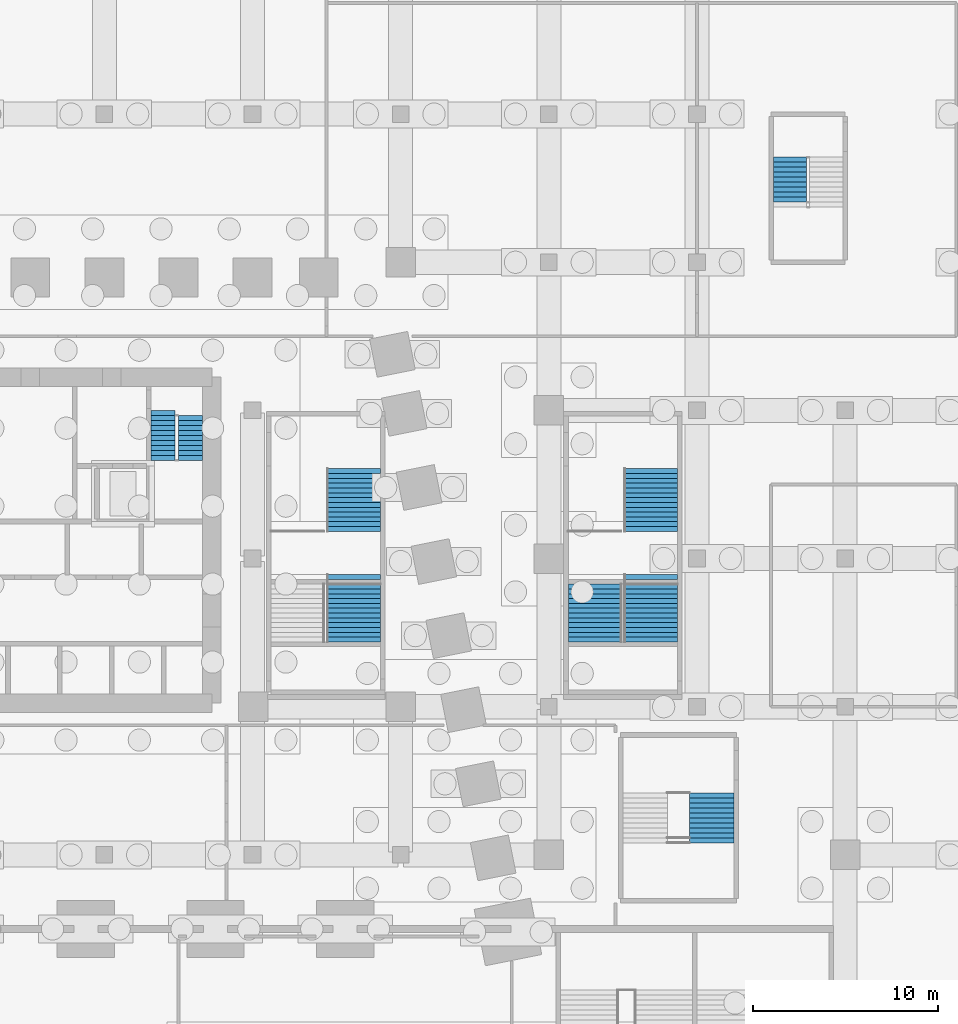
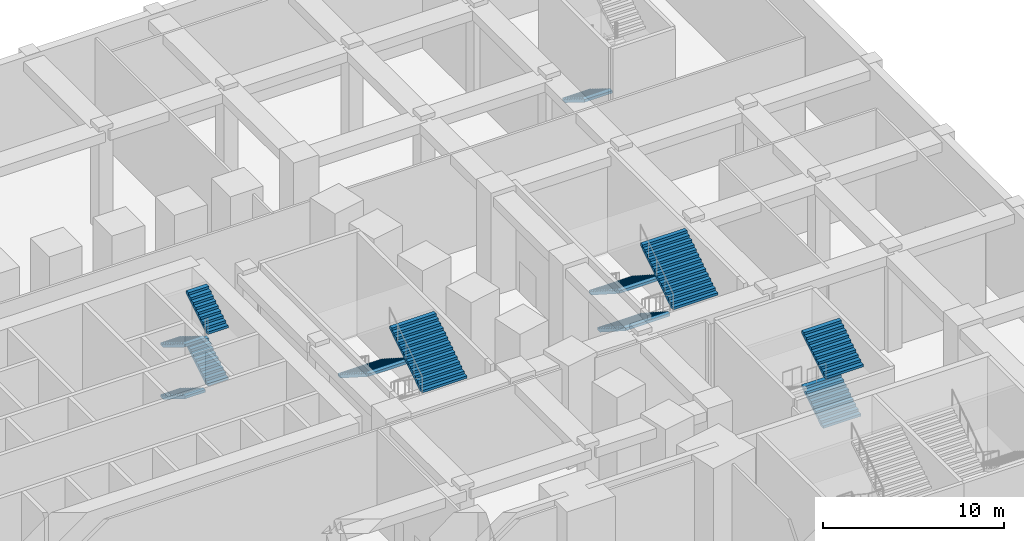
# One storey, part 20 of 30: 12 stair flights, 5 elements without a shape of their own.
"""IFC4 building model written with IfcOpenShell, lengths in metres."""

from ifc_helpers import new_model, si_unit, direction, frame, origin, place, context, subcontext, project, spatial, polyline, outline, extrude, material, type_object, element, aggregate, save


model = new_model("IFC4")

# Units and contexts
model_context = context("Model", 3, precision=1e-05, world=origin(), true_north=direction((0.0, 1.0)))
body_context = subcontext(model_context, "Body", "Model", "MODEL_VIEW")
ifc_project = project(units=[si_unit("LENGTHUNIT", "METRE"), si_unit("AREAUNIT", "SQUARE_METRE"), si_unit("VOLUMEUNIT", "CUBIC_METRE"), si_unit("PLANEANGLEUNIT", "RADIAN"), si_unit("MASSUNIT", "GRAM", prefix="KILO")], contexts=[model_context])

# Site, building, storey
site_placement = place(None, origin())
site = spatial("IfcSite", under=ifc_project, at=site_placement, CompositionType="ELEMENT")
building_placement = place(site_placement, origin())
building = spatial("IfcBuilding", under=site, at=building_placement, Name="Isbrekke Arena Tower", CompositionType="ELEMENT")
storey_placement = place(building_placement, frame((0.0, 0.0, -7.0)))
storey = spatial("IfcBuildingStorey", under=building, at=storey_placement, Name="B1", CompositionType="ELEMENT", Elevation=-7.0)

# Stair, stair flights
ifc_material_1 = material(Name="Concrete B45 (C45/55) precast", Category="concrete")
stair_type_1 = type_object("IfcStairType", Name="ST70 STAIR 1300 WIDE, 42 RISERS 167", PredefinedType="HALF_TURN_STAIR", material=ifc_material_1)
stair_1_placement = place(storey_placement, origin())
stair_1 = element("IfcStair", 1, at=stair_1_placement, inside=storey, type_object=stair_type_1, Name="ST2 stair B1", PredefinedType="HALF_TURN_STAIR")
ifc_material_2 = material(Name="Concrete B45 (C45/55) precast", Category="concrete")
stair_flight_type_1 = type_object("IfcStairFlightType", Name="SF 1300 FLIGHT", PredefinedType="STRAIGHT", material=ifc_material_2)
stair_flight_1_placement = place(storey_placement, frame((11.175048828125, 22.0, 0.0), z_axis=(0.0, 0.0, 1.0), x_axis=(0.0, -1.0, 0.0)))
stair_flight_1 = element("IfcStairFlight", 2, at=stair_flight_1_placement, type_object=stair_flight_type_1, Name="ST2 flight 1", NumberOfRisers=11, NumberOfTreads=10, PredefinedType="STRAIGHT", RiserHeight=0.166666667, TreadLength=0.27, context=body_context, shape_type="SweptSolid", body=[
    extrude(outline(polyline([(0.0, 0.0), (0.0, 0.166748046875), (0.27001953125, 0.166748046875), (0.27001953125, 0.333251953125), (0.5400390625, 0.333251953125), (0.5400390625, 0.5), (0.81005859375, 0.5), (0.81005859375, 0.666748046875), (1.080078125, 0.666748046875), (1.080078125, 0.833251953125), (1.35009765625, 0.833251953125), (1.35009765625, 1.0), (1.6201171875, 1.0), (1.6201171875, 1.166748046875), (1.889892578125, 1.166748046875), (1.889892578125, 1.333251953125), (2.159912109375, 1.333251953125), (2.159912109375, 1.5), (2.429931640625, 1.5), (2.429931640625, 1.666748046875), (2.699951171875, 1.666748046875), (2.699951171875, 1.833251953125), (2.699951171875, 1.490478515625), (0.285400390625, 0.0), (0.0, 0.0)])), frame((0.0, 0.64990234375, 0.0), z_axis=(0.0, -1.0, 0.0), x_axis=(1.0, 0.0, 0.0)), (0.0, 0.0, 1.0), 1.300048828125),
])
stair_flight_2_placement = place(storey_placement, frame((12.64990234375, 19.300048828125, 1.833251953125), z_axis=(0.0, 0.0, 1.0), x_axis=(0.0, 1.0, 0.0)))
stair_flight_2 = element("IfcStairFlight", 3, at=stair_flight_2_placement, type_object=stair_flight_type_1, Name="ST2 flight 2", NumberOfRisers=10, NumberOfTreads=9, PredefinedType="STRAIGHT", RiserHeight=0.166666667, TreadLength=0.27, context=body_context, shape_type="SweptSolid", body=[
    extrude(outline(polyline([(0.0, 0.0), (0.0, 0.166748046875), (0.27001953125, 0.166748046875), (0.27001953125, 0.333251953125), (0.5400390625, 0.333251953125), (0.5400390625, 0.5), (0.81005859375, 0.5), (0.81005859375, 0.666748046875), (1.080078125, 0.666748046875), (1.080078125, 0.833251953125), (1.35009765625, 0.833251953125), (1.35009765625, 1.0), (1.6201171875, 1.0), (1.6201171875, 1.166748046875), (1.889892578125, 1.166748046875), (1.889892578125, 1.333251953125), (2.159912109375, 1.333251953125), (2.159912109375, 1.5), (2.429931640625, 1.5), (2.429931640625, 1.666748046875), (2.429931640625, 1.32373046875), (0.285400390625, 0.0), (0.0, 0.0)])), frame((0.0, 0.64990234375, 0.0), z_axis=(0.0, -1.0, 0.0), x_axis=(1.0, 0.0, 0.0)), (0.0, 0.0, 1.0), 1.300048828125),
])
stair_flight_3_placement = place(storey_placement, frame((11.175048828125, 22.0, 3.5), z_axis=(0.0, 0.0, 1.0), x_axis=(0.0, -1.0, 0.0)))
stair_flight_3 = element("IfcStairFlight", 4, at=stair_flight_3_placement, type_object=stair_flight_type_1, Name="ST2 flight 3", NumberOfRisers=11, NumberOfTreads=10, PredefinedType="STRAIGHT", RiserHeight=0.166666667, TreadLength=0.27, context=body_context, shape_type="SweptSolid", body=[
    extrude(outline(polyline([(0.0, 0.0), (0.0, 0.166748046875), (0.27001953125, 0.166748046875), (0.27001953125, 0.333251953125), (0.5400390625, 0.333251953125), (0.5400390625, 0.5), (0.81005859375, 0.5), (0.81005859375, 0.666748046875), (1.080078125, 0.666748046875), (1.080078125, 0.833251953125), (1.35009765625, 0.833251953125), (1.35009765625, 1.0), (1.6201171875, 1.0), (1.6201171875, 1.166748046875), (1.889892578125, 1.166748046875), (1.889892578125, 1.333251953125), (2.159912109375, 1.333251953125), (2.159912109375, 1.5), (2.429931640625, 1.5), (2.429931640625, 1.666748046875), (2.699951171875, 1.666748046875), (2.699951171875, 1.833251953125), (2.699951171875, 1.490478515625), (0.285400390625, 0.0), (0.0, 0.0)])), frame((0.0, 0.64990234375, 0.0), z_axis=(0.0, -1.0, 0.0), x_axis=(1.0, 0.0, 0.0)), (0.0, 0.0, 1.0), 1.300048828125),
])
stair_flight_4_placement = place(storey_placement, frame((12.64990234375, 19.300048828125, 5.333251953125), z_axis=(0.0, 0.0, 1.0), x_axis=(0.0, 1.0, 0.0)))
stair_flight_4 = element("IfcStairFlight", 5, at=stair_flight_4_placement, type_object=stair_flight_type_1, Name="ST2 flight 4", NumberOfRisers=10, NumberOfTreads=9, PredefinedType="STRAIGHT", RiserHeight=0.166666667, TreadLength=0.27, context=body_context, shape_type="SweptSolid", body=[
    extrude(outline(polyline([(0.0, 0.0), (0.0, 0.166748046875), (0.27001953125, 0.166748046875), (0.27001953125, 0.333251953125), (0.5400390625, 0.333251953125), (0.5400390625, 0.5), (0.81005859375, 0.5), (0.81005859375, 0.666748046875), (1.080078125, 0.666748046875), (1.080078125, 0.833251953125), (1.35009765625, 0.833251953125), (1.35009765625, 1.0), (1.6201171875, 1.0), (1.6201171875, 1.166748046875), (1.889892578125, 1.166748046875), (1.889892578125, 1.333251953125), (2.159912109375, 1.333251953125), (2.159912109375, 1.5), (2.429931640625, 1.5), (2.429931640625, 1.666748046875), (2.429931640625, 1.32373046875), (0.285400390625, 0.0), (0.0, 0.0)])), frame((0.0, 0.64990234375, 0.0), z_axis=(0.0, -1.0, 0.0), x_axis=(1.0, 0.0, 0.0)), (0.0, 0.0, 1.0), 1.300048828125),
])
aggregate(stair_1, [stair_flight_1, stair_flight_2, stair_flight_3, stair_flight_4])

# Stair, stair flight
ifc_material_3 = material(Name="Concrete B45 (C45/55) precast", Category="concrete")
stair_type_2 = type_object("IfcStairType", Name="ST70 STAIR 1800 WIDE, 42 RISERS 167", PredefinedType="HALF_TURN_STAIR", material=ifc_material_3)
stair_2_placement = place(storey_placement, origin())
stair_2 = element("IfcStair", 6, at=stair_2_placement, inside=storey, type_object=stair_type_2, Name="P1 stair B1", PredefinedType="HALF_TURN_STAIR")
ifc_material_4 = material(Name="Concrete B45 (C45/55) precast", Category="concrete")
stair_flight_type_2 = type_object("IfcStairFlightType", Name="SF 1800 FLIGHT", PredefinedType="STRAIGHT", material=ifc_material_4)
stair_flight_5_placement = place(storey_placement, frame((45.02490234375, 35.675048828125, 0.0), z_axis=(0.0, 0.0, 1.0), x_axis=(0.0, -1.0, 0.0)))
stair_flight_5 = element("IfcStairFlight", 7, at=stair_flight_5_placement, type_object=stair_flight_type_2, Name="P1 flight 1", NumberOfRisers=10, NumberOfTreads=9, PredefinedType="STRAIGHT", RiserHeight=0.166666667, TreadLength=0.27, context=body_context, shape_type="SweptSolid", body=[
    extrude(outline(polyline([(0.0, 0.0), (0.0, 0.166748046875), (0.27001953125, 0.166748046875), (0.27001953125, 0.333251953125), (0.5400390625, 0.333251953125), (0.5400390625, 0.5), (0.81005859375, 0.5), (0.81005859375, 0.666748046875), (1.080078125, 0.666748046875), (1.080078125, 0.833251953125), (1.35009765625, 0.833251953125), (1.35009765625, 1.0), (1.6201171875, 1.0), (1.6201171875, 1.166748046875), (1.889892578125, 1.166748046875), (1.889892578125, 1.333251953125), (2.159912109375, 1.333251953125), (2.159912109375, 1.5), (2.429931640625, 1.5), (2.429931640625, 1.666748046875), (2.429931640625, 1.32373046875), (0.285400390625, 0.0), (0.0, 0.0)])), frame((0.0, 0.89990234375, 0.0), z_axis=(0.0, -1.0, 0.0), x_axis=(1.0, 0.0, 0.0)), (0.0, 0.0, 1.0), 0.90087890625),
    extrude(outline(polyline([(0.0, 0.0), (0.0, 0.166748046875), (0.27001953125, 0.166748046875), (0.27001953125, 0.333251953125), (0.5400390625, 0.333251953125), (0.5400390625, 0.5), (0.81005859375, 0.5), (0.81005859375, 0.666748046875), (1.080078125, 0.666748046875), (1.080078125, 0.833251953125), (1.35009765625, 0.833251953125), (1.35009765625, 1.0), (1.6201171875, 1.0), (1.6201171875, 1.166748046875), (1.889892578125, 1.166748046875), (1.889892578125, 1.333251953125), (2.159912109375, 1.333251953125), (2.159912109375, 1.5), (2.429931640625, 1.5), (2.429931640625, 1.666748046875), (2.429931640625, 1.32373046875), (0.285400390625, 0.0), (0.0, 0.0)])), frame((0.0, 0.0009765625, 0.0), z_axis=(0.0, -1.0, 0.0), x_axis=(1.0, 0.0, 0.0)), (0.0, 0.0, 1.0), 0.90087890625),
])
aggregate(stair_2, [stair_flight_5])

# Stair, stair flights
ifc_material_5 = material(Name="Concrete B45 (C45/55) precast", Category="concrete")
stair_type_3 = type_object("IfcStairType", Name="ST70 STAIR 2400 WIDE, 42 RISERS 167", PredefinedType="HALF_TURN_STAIR", material=ifc_material_5)
stair_3_placement = place(storey_placement, origin())
stair_3 = element("IfcStair", 8, at=stair_3_placement, inside=storey, type_object=stair_type_3, Name="V1 stair B1", PredefinedType="HALF_TURN_STAIR")
ifc_material_6 = material(Name="Concrete B45 (C45/55) precast", Category="concrete")
stair_flight_type_3 = type_object("IfcStairFlightType", Name="SF 2400 FLIGHT", PredefinedType="STRAIGHT", material=ifc_material_6)
stair_flight_6_placement = place(storey_placement, frame((40.800048828125, -1.080078125, 1.666748046875), z_axis=(0.0, 0.0, 1.0), x_axis=(0.0, 1.0, 0.0)))
stair_flight_6 = element("IfcStairFlight", 9, at=stair_flight_6_placement, type_object=stair_flight_type_3, Name="V1 flight 2", NumberOfRisers=10, NumberOfTreads=9, PredefinedType="STRAIGHT", RiserHeight=0.166666667, TreadLength=0.27, context=body_context, shape_type="SweptSolid", body=[
    extrude(outline(polyline([(0.0, 0.0), (0.0, 0.166748046875), (0.27001953125, 0.166748046875), (0.27001953125, 0.333251953125), (0.5400390625, 0.333251953125), (0.5400390625, 0.5), (0.81005859375, 0.5), (0.81005859375, 0.666748046875), (1.080078125, 0.666748046875), (1.080078125, 0.833251953125), (1.35009765625, 0.833251953125), (1.35009765625, 1.0), (1.6201171875, 1.0), (1.6201171875, 1.166748046875), (1.889892578125, 1.166748046875), (1.889892578125, 1.333251953125), (2.159912109375, 1.333251953125), (2.159912109375, 1.5), (2.429931640625, 1.5), (2.429931640625, 1.666748046875), (2.429931640625, 1.32373046875), (0.285400390625, 0.0), (0.0, 0.0)])), frame((0.0, 1.199951171875, 0.0), z_axis=(0.0, -1.0, 0.0), x_axis=(1.0, 0.0, 0.0)), (0.0, 0.0, 1.0), 0.48095703125),
    extrude(outline(polyline([(0.0, 0.0), (0.0, 0.166748046875), (0.27001953125, 0.166748046875), (0.27001953125, 0.333251953125), (0.5400390625, 0.333251953125), (0.5400390625, 0.5), (0.81005859375, 0.5), (0.81005859375, 0.666748046875), (1.080078125, 0.666748046875), (1.080078125, 0.833251953125), (1.35009765625, 0.833251953125), (1.35009765625, 1.0), (1.6201171875, 1.0), (1.6201171875, 1.166748046875), (1.889892578125, 1.166748046875), (1.889892578125, 1.333251953125), (2.159912109375, 1.333251953125), (2.159912109375, 1.5), (2.429931640625, 1.5), (2.429931640625, 1.666748046875), (2.429931640625, 1.32373046875), (0.285400390625, 0.0), (0.0, 0.0)])), frame((0.0, 0.720947265625, 0.0), z_axis=(0.0, -1.0, 0.0), x_axis=(1.0, 0.0, 0.0)), (0.0, 0.0, 1.0), 0.48193359375),
    extrude(outline(polyline([(0.0, 0.0), (0.0, 0.166748046875), (0.27001953125, 0.166748046875), (0.27001953125, 0.333251953125), (0.5400390625, 0.333251953125), (0.5400390625, 0.5), (0.81005859375, 0.5), (0.81005859375, 0.666748046875), (1.080078125, 0.666748046875), (1.080078125, 0.833251953125), (1.35009765625, 0.833251953125), (1.35009765625, 1.0), (1.6201171875, 1.0), (1.6201171875, 1.166748046875), (1.889892578125, 1.166748046875), (1.889892578125, 1.333251953125), (2.159912109375, 1.333251953125), (2.159912109375, 1.5), (2.429931640625, 1.5), (2.429931640625, 1.666748046875), (2.429931640625, 1.32373046875), (0.285400390625, 0.0), (0.0, 0.0)])), frame((0.0, 0.240966796875, 0.0), z_axis=(0.0, -1.0, 0.0), x_axis=(1.0, 0.0, 0.0)), (0.0, 0.0, 1.0), 0.48193359375),
    extrude(outline(polyline([(0.0, 0.0), (0.0, 0.166748046875), (0.27001953125, 0.166748046875), (0.27001953125, 0.333251953125), (0.5400390625, 0.333251953125), (0.5400390625, 0.5), (0.81005859375, 0.5), (0.81005859375, 0.666748046875), (1.080078125, 0.666748046875), (1.080078125, 0.833251953125), (1.35009765625, 0.833251953125), (1.35009765625, 1.0), (1.6201171875, 1.0), (1.6201171875, 1.166748046875), (1.889892578125, 1.166748046875), (1.889892578125, 1.333251953125), (2.159912109375, 1.333251953125), (2.159912109375, 1.5), (2.429931640625, 1.5), (2.429931640625, 1.666748046875), (2.429931640625, 1.32373046875), (0.285400390625, 0.0), (0.0, 0.0)])), frame((0.0, -0.239013671875, 0.0), z_axis=(0.0, -1.0, 0.0), x_axis=(1.0, 0.0, 0.0)), (0.0, 0.0, 1.0), 0.48193359375),
    extrude(outline(polyline([(0.0, 0.0), (0.0, 0.166748046875), (0.27001953125, 0.166748046875), (0.27001953125, 0.333251953125), (0.5400390625, 0.333251953125), (0.5400390625, 0.5), (0.81005859375, 0.5), (0.81005859375, 0.666748046875), (1.080078125, 0.666748046875), (1.080078125, 0.833251953125), (1.35009765625, 0.833251953125), (1.35009765625, 1.0), (1.6201171875, 1.0), (1.6201171875, 1.166748046875), (1.889892578125, 1.166748046875), (1.889892578125, 1.333251953125), (2.159912109375, 1.333251953125), (2.159912109375, 1.5), (2.429931640625, 1.5), (2.429931640625, 1.666748046875), (2.429931640625, 1.32373046875), (0.285400390625, 0.0), (0.0, 0.0)])), frame((0.0, -0.718994140625, 0.0), z_axis=(0.0, -1.0, 0.0), x_axis=(1.0, 0.0, 0.0)), (0.0, 0.0, 1.0), 0.48095703125),
])
stair_flight_7_placement = place(storey_placement, frame((40.800048828125, -1.35009765625, 5.166748046875), z_axis=(0.0, 0.0, 1.0), x_axis=(0.0, 1.0, 0.0)))
stair_flight_7 = element("IfcStairFlight", 10, at=stair_flight_7_placement, type_object=stair_flight_type_3, Name="V1 flight 4", NumberOfRisers=11, NumberOfTreads=10, PredefinedType="STRAIGHT", RiserHeight=0.166666667, TreadLength=0.27, context=body_context, shape_type="SweptSolid", body=[
    extrude(outline(polyline([(0.0, 0.0), (0.0, 0.166748046875), (0.27001953125, 0.166748046875), (0.27001953125, 0.333251953125), (0.5400390625, 0.333251953125), (0.5400390625, 0.5), (0.81005859375, 0.5), (0.81005859375, 0.666748046875), (1.080078125, 0.666748046875), (1.080078125, 0.833251953125), (1.35009765625, 0.833251953125), (1.35009765625, 1.0), (1.6201171875, 1.0), (1.6201171875, 1.166748046875), (1.889892578125, 1.166748046875), (1.889892578125, 1.333251953125), (2.159912109375, 1.333251953125), (2.159912109375, 1.5), (2.429931640625, 1.5), (2.429931640625, 1.666748046875), (2.699951171875, 1.666748046875), (2.699951171875, 1.833251953125), (2.699951171875, 1.490478515625), (0.285400390625, 0.0), (0.0, 0.0)])), frame((0.0, 1.199951171875, 0.0), z_axis=(0.0, -1.0, 0.0), x_axis=(1.0, 0.0, 0.0)), (0.0, 0.0, 1.0), 0.801025390625),
    extrude(outline(polyline([(0.0, 0.0), (0.0, 0.166748046875), (0.27001953125, 0.166748046875), (0.27001953125, 0.333251953125), (0.5400390625, 0.333251953125), (0.5400390625, 0.5), (0.81005859375, 0.5), (0.81005859375, 0.666748046875), (1.080078125, 0.666748046875), (1.080078125, 0.833251953125), (1.35009765625, 0.833251953125), (1.35009765625, 1.0), (1.6201171875, 1.0), (1.6201171875, 1.166748046875), (1.889892578125, 1.166748046875), (1.889892578125, 1.333251953125), (2.159912109375, 1.333251953125), (2.159912109375, 1.5), (2.429931640625, 1.5), (2.429931640625, 1.666748046875), (2.699951171875, 1.666748046875), (2.699951171875, 1.833251953125), (2.699951171875, 1.490478515625), (0.285400390625, 0.0), (0.0, 0.0)])), frame((0.0, 0.40087890625, 0.0), z_axis=(0.0, -1.0, 0.0), x_axis=(1.0, 0.0, 0.0)), (0.0, 0.0, 1.0), 0.802001953125),
    extrude(outline(polyline([(0.0, 0.0), (0.0, 0.166748046875), (0.27001953125, 0.166748046875), (0.27001953125, 0.333251953125), (0.5400390625, 0.333251953125), (0.5400390625, 0.5), (0.81005859375, 0.5), (0.81005859375, 0.666748046875), (1.080078125, 0.666748046875), (1.080078125, 0.833251953125), (1.35009765625, 0.833251953125), (1.35009765625, 1.0), (1.6201171875, 1.0), (1.6201171875, 1.166748046875), (1.889892578125, 1.166748046875), (1.889892578125, 1.333251953125), (2.159912109375, 1.333251953125), (2.159912109375, 1.5), (2.429931640625, 1.5), (2.429931640625, 1.666748046875), (2.699951171875, 1.666748046875), (2.699951171875, 1.833251953125), (2.699951171875, 1.490478515625), (0.285400390625, 0.0), (0.0, 0.0)])), frame((0.0, -0.39892578125, 0.0), z_axis=(0.0, -1.0, 0.0), x_axis=(1.0, 0.0, 0.0)), (0.0, 0.0, 1.0), 0.801025390625),
])
aggregate(stair_3, [stair_flight_6, stair_flight_7])

ifc_material_7 = material(Name="Concrete B45 (C45/55) cast in situ", Category="concrete")
stair_type_4 = type_object("IfcStairType", Name="SX70 EXIT STAIR 2850 WIDE, 42 RISERS 167", PredefinedType="HALF_TURN_STAIR", material=ifc_material_7)
stair_4_placement = place(storey_placement, origin())
stair_4 = element("IfcStair", 11, at=stair_4_placement, inside=storey, type_object=stair_type_4, Name="X5 exit stair B1", PredefinedType="HALF_TURN_STAIR")
ifc_material_8 = material(Name="Concrete B45 (C45/55) cast in situ", Category="concrete")
stair_flight_type_4 = type_object("IfcStairFlightType", Name="SF 2850 FLIGHT 260", PredefinedType="STRAIGHT", material=ifc_material_8)
stair_flight_8_placement = place(storey_placement, frame((21.47509765625, 18.85009765625, 0.0), z_axis=(0.0, 0.0, 1.0), x_axis=(0.0, -1.0, 0.0)))
stair_flight_8 = element("IfcStairFlight", 12, at=stair_flight_8_placement, type_object=stair_flight_type_4, Name="X5 flight 1", NumberOfRisers=14, NumberOfTreads=13, PredefinedType="STRAIGHT", RiserHeight=0.166666667, TreadLength=0.26, context=body_context, shape_type="SweptSolid", body=[
    extrude(outline(polyline([(0.0, 0.0), (0.0, 0.166748046875), (0.260009765625, 0.166748046875), (0.260009765625, 0.333251953125), (0.52001953125, 0.333251953125), (0.52001953125, 0.5), (0.780029296875, 0.5), (0.780029296875, 0.666748046875), (1.0400390625, 0.666748046875), (1.0400390625, 0.833251953125), (1.300048828125, 0.833251953125), (1.300048828125, 1.0), (1.56005859375, 1.0), (1.56005859375, 1.166748046875), (1.820068359375, 1.166748046875), (1.820068359375, 1.333251953125), (2.080078125, 1.333251953125), (2.080078125, 1.5), (2.340087890625, 1.5), (2.340087890625, 1.666748046875), (2.60009765625, 1.666748046875), (2.60009765625, 1.833251953125), (2.860107421875, 1.833251953125), (2.860107421875, 2.0), (3.1201171875, 2.0), (3.1201171875, 2.166748046875), (3.3798828125, 2.166748046875), (3.3798828125, 2.333251953125), (3.3798828125, 1.988525390625), (0.27783203125, 0.0), (0.0, 0.0)])), frame((0.0, 1.425048828125, 0.0), z_axis=(0.0, -1.0, 0.0), x_axis=(1.0, 0.0, 0.0)), (0.0, 0.0, 1.0), 0.950927734375),
    extrude(outline(polyline([(0.0, 0.0), (0.0, 0.166748046875), (0.260009765625, 0.166748046875), (0.260009765625, 0.333251953125), (0.52001953125, 0.333251953125), (0.52001953125, 0.5), (0.780029296875, 0.5), (0.780029296875, 0.666748046875), (1.0400390625, 0.666748046875), (1.0400390625, 0.833251953125), (1.300048828125, 0.833251953125), (1.300048828125, 1.0), (1.56005859375, 1.0), (1.56005859375, 1.166748046875), (1.820068359375, 1.166748046875), (1.820068359375, 1.333251953125), (2.080078125, 1.333251953125), (2.080078125, 1.5), (2.340087890625, 1.5), (2.340087890625, 1.666748046875), (2.60009765625, 1.666748046875), (2.60009765625, 1.833251953125), (2.860107421875, 1.833251953125), (2.860107421875, 2.0), (3.1201171875, 2.0), (3.1201171875, 2.166748046875), (3.3798828125, 2.166748046875), (3.3798828125, 2.333251953125), (3.3798828125, 1.988525390625), (0.27783203125, 0.0), (0.0, 0.0)])), frame((0.0, 0.47607421875, 0.0), z_axis=(0.0, -1.0, 0.0), x_axis=(1.0, 0.0, 0.0)), (0.0, 0.0, 1.0), 0.951904296875),
    extrude(outline(polyline([(0.0, 0.0), (0.0, 0.166748046875), (0.260009765625, 0.166748046875), (0.260009765625, 0.333251953125), (0.52001953125, 0.333251953125), (0.52001953125, 0.5), (0.780029296875, 0.5), (0.780029296875, 0.666748046875), (1.0400390625, 0.666748046875), (1.0400390625, 0.833251953125), (1.300048828125, 0.833251953125), (1.300048828125, 1.0), (1.56005859375, 1.0), (1.56005859375, 1.166748046875), (1.820068359375, 1.166748046875), (1.820068359375, 1.333251953125), (2.080078125, 1.333251953125), (2.080078125, 1.5), (2.340087890625, 1.5), (2.340087890625, 1.666748046875), (2.60009765625, 1.666748046875), (2.60009765625, 1.833251953125), (2.860107421875, 1.833251953125), (2.860107421875, 2.0), (3.1201171875, 2.0), (3.1201171875, 2.166748046875), (3.3798828125, 2.166748046875), (3.3798828125, 2.333251953125), (3.3798828125, 1.988525390625), (0.27783203125, 0.0), (0.0, 0.0)])), frame((0.0, -0.47412109375, 0.0), z_axis=(0.0, -1.0, 0.0), x_axis=(1.0, 0.0, 0.0)), (0.0, 0.0, 1.0), 0.950927734375),
])
stair_flight_9_placement = place(storey_placement, frame((21.47509765625, 9.5, 4.5), z_axis=(0.0, 0.0, 1.0), x_axis=(0.0, 1.0, 0.0)))
stair_flight_9 = element("IfcStairFlight", 13, at=stair_flight_9_placement, type_object=stair_flight_type_4, Name="X5 flight 3", NumberOfRisers=15, NumberOfTreads=14, PredefinedType="STRAIGHT", RiserHeight=0.166666667, TreadLength=0.26, context=body_context, shape_type="SweptSolid", body=[
    extrude(outline(polyline([(0.0, 0.0), (0.0, 0.166748046875), (0.260009765625, 0.166748046875), (0.260009765625, 0.333251953125), (0.52001953125, 0.333251953125), (0.52001953125, 0.5), (0.780029296875, 0.5), (0.780029296875, 0.666748046875), (1.0400390625, 0.666748046875), (1.0400390625, 0.833251953125), (1.300048828125, 0.833251953125), (1.300048828125, 1.0), (1.56005859375, 1.0), (1.56005859375, 1.166748046875), (1.820068359375, 1.166748046875), (1.820068359375, 1.333251953125), (2.080078125, 1.333251953125), (2.080078125, 1.5), (2.340087890625, 1.5), (2.340087890625, 1.666748046875), (2.60009765625, 1.666748046875), (2.60009765625, 1.833251953125), (2.860107421875, 1.833251953125), (2.860107421875, 2.0), (3.1201171875, 2.0), (3.1201171875, 2.166748046875), (3.3798828125, 2.166748046875), (3.3798828125, 2.333251953125), (3.639892578125, 2.333251953125), (3.639892578125, 2.5), (3.639892578125, 2.1552734375), (0.27783203125, 0.0), (0.0, 0.0)])), frame((0.0, 1.425048828125, 0.0), z_axis=(0.0, -1.0, 0.0), x_axis=(1.0, 0.0, 0.0)), (0.0, 0.0, 1.0), 1.426025390625),
    extrude(outline(polyline([(0.0, 0.0), (0.0, 0.166748046875), (0.260009765625, 0.166748046875), (0.260009765625, 0.333251953125), (0.52001953125, 0.333251953125), (0.52001953125, 0.5), (0.780029296875, 0.5), (0.780029296875, 0.666748046875), (1.0400390625, 0.666748046875), (1.0400390625, 0.833251953125), (1.300048828125, 0.833251953125), (1.300048828125, 1.0), (1.56005859375, 1.0), (1.56005859375, 1.166748046875), (1.820068359375, 1.166748046875), (1.820068359375, 1.333251953125), (2.080078125, 1.333251953125), (2.080078125, 1.5), (2.340087890625, 1.5), (2.340087890625, 1.666748046875), (2.60009765625, 1.666748046875), (2.60009765625, 1.833251953125), (2.860107421875, 1.833251953125), (2.860107421875, 2.0), (3.1201171875, 2.0), (3.1201171875, 2.166748046875), (3.3798828125, 2.166748046875), (3.3798828125, 2.333251953125), (3.639892578125, 2.333251953125), (3.639892578125, 2.5), (3.639892578125, 2.1552734375), (0.27783203125, 0.0), (0.0, 0.0)])), frame((0.0, 0.0009765625, 0.0), z_axis=(0.0, -1.0, 0.0), x_axis=(1.0, 0.0, 0.0)), (0.0, 0.0, 1.0), 1.426025390625),
])
aggregate(stair_4, [stair_flight_8, stair_flight_9])

stair_5_placement = place(storey_placement, origin())
stair_5 = element("IfcStair", 14, at=stair_5_placement, inside=storey, type_object=stair_type_4, Name="X7 exit stair B1", PredefinedType="HALF_TURN_STAIR")
stair_flight_10_placement = place(storey_placement, frame((37.52490234375, 18.85009765625, 0.0), z_axis=(0.0, 0.0, 1.0), x_axis=(0.0, -1.0, 0.0)))
stair_flight_10 = element("IfcStairFlight", 15, at=stair_flight_10_placement, type_object=stair_flight_type_4, Name="X7 flight 1", NumberOfRisers=14, NumberOfTreads=13, PredefinedType="STRAIGHT", RiserHeight=0.166666667, TreadLength=0.26, context=body_context, shape_type="SweptSolid", body=[
    extrude(outline(polyline([(0.0, 0.0), (0.0, 0.166748046875), (0.260009765625, 0.166748046875), (0.260009765625, 0.333251953125), (0.52001953125, 0.333251953125), (0.52001953125, 0.5), (0.780029296875, 0.5), (0.780029296875, 0.666748046875), (1.0400390625, 0.666748046875), (1.0400390625, 0.833251953125), (1.300048828125, 0.833251953125), (1.300048828125, 1.0), (1.56005859375, 1.0), (1.56005859375, 1.166748046875), (1.820068359375, 1.166748046875), (1.820068359375, 1.333251953125), (2.080078125, 1.333251953125), (2.080078125, 1.5), (2.340087890625, 1.5), (2.340087890625, 1.666748046875), (2.60009765625, 1.666748046875), (2.60009765625, 1.833251953125), (2.860107421875, 1.833251953125), (2.860107421875, 2.0), (3.1201171875, 2.0), (3.1201171875, 2.166748046875), (3.3798828125, 2.166748046875), (3.3798828125, 2.333251953125), (3.3798828125, 1.988525390625), (0.27783203125, 0.0), (0.0, 0.0)])), frame((0.0, 1.425048828125, 0.0), z_axis=(0.0, -1.0, 0.0), x_axis=(1.0, 0.0, 0.0)), (0.0, 0.0, 1.0), 0.950927734375),
    extrude(outline(polyline([(0.0, 0.0), (0.0, 0.166748046875), (0.260009765625, 0.166748046875), (0.260009765625, 0.333251953125), (0.52001953125, 0.333251953125), (0.52001953125, 0.5), (0.780029296875, 0.5), (0.780029296875, 0.666748046875), (1.0400390625, 0.666748046875), (1.0400390625, 0.833251953125), (1.300048828125, 0.833251953125), (1.300048828125, 1.0), (1.56005859375, 1.0), (1.56005859375, 1.166748046875), (1.820068359375, 1.166748046875), (1.820068359375, 1.333251953125), (2.080078125, 1.333251953125), (2.080078125, 1.5), (2.340087890625, 1.5), (2.340087890625, 1.666748046875), (2.60009765625, 1.666748046875), (2.60009765625, 1.833251953125), (2.860107421875, 1.833251953125), (2.860107421875, 2.0), (3.1201171875, 2.0), (3.1201171875, 2.166748046875), (3.3798828125, 2.166748046875), (3.3798828125, 2.333251953125), (3.3798828125, 1.988525390625), (0.27783203125, 0.0), (0.0, 0.0)])), frame((0.0, 0.47607421875, 0.0), z_axis=(0.0, -1.0, 0.0), x_axis=(1.0, 0.0, 0.0)), (0.0, 0.0, 1.0), 0.951904296875),
    extrude(outline(polyline([(0.0, 0.0), (0.0, 0.166748046875), (0.260009765625, 0.166748046875), (0.260009765625, 0.333251953125), (0.52001953125, 0.333251953125), (0.52001953125, 0.5), (0.780029296875, 0.5), (0.780029296875, 0.666748046875), (1.0400390625, 0.666748046875), (1.0400390625, 0.833251953125), (1.300048828125, 0.833251953125), (1.300048828125, 1.0), (1.56005859375, 1.0), (1.56005859375, 1.166748046875), (1.820068359375, 1.166748046875), (1.820068359375, 1.333251953125), (2.080078125, 1.333251953125), (2.080078125, 1.5), (2.340087890625, 1.5), (2.340087890625, 1.666748046875), (2.60009765625, 1.666748046875), (2.60009765625, 1.833251953125), (2.860107421875, 1.833251953125), (2.860107421875, 2.0), (3.1201171875, 2.0), (3.1201171875, 2.166748046875), (3.3798828125, 2.166748046875), (3.3798828125, 2.333251953125), (3.3798828125, 1.988525390625), (0.27783203125, 0.0), (0.0, 0.0)])), frame((0.0, -0.47412109375, 0.0), z_axis=(0.0, -1.0, 0.0), x_axis=(1.0, 0.0, 0.0)), (0.0, 0.0, 1.0), 0.950927734375),
])
stair_flight_11_placement = place(storey_placement, frame((34.47509765625, 12.6201171875, 2.333251953125), z_axis=(0.0, 0.0, 1.0), x_axis=(0.0, -1.0, 0.0)))
stair_flight_11 = element("IfcStairFlight", 16, at=stair_flight_11_placement, type_object=stair_flight_type_4, Name="X7 flight 2", NumberOfRisers=13, NumberOfTreads=12, PredefinedType="STRAIGHT", RiserHeight=0.166666667, TreadLength=0.26, context=body_context, shape_type="SweptSolid", body=[
    extrude(outline(polyline([(0.0, 0.0), (0.0, 0.166748046875), (0.260009765625, 0.166748046875), (0.260009765625, 0.333251953125), (0.52001953125, 0.333251953125), (0.52001953125, 0.5), (0.780029296875, 0.5), (0.780029296875, 0.666748046875), (1.0400390625, 0.666748046875), (1.0400390625, 0.833251953125), (1.300048828125, 0.833251953125), (1.300048828125, 1.0), (1.56005859375, 1.0), (1.56005859375, 1.166748046875), (1.820068359375, 1.166748046875), (1.820068359375, 1.333251953125), (2.080078125, 1.333251953125), (2.080078125, 1.5), (2.340087890625, 1.5), (2.340087890625, 1.666748046875), (2.60009765625, 1.666748046875), (2.60009765625, 1.833251953125), (2.860107421875, 1.833251953125), (2.860107421875, 2.0), (3.1201171875, 2.0), (3.1201171875, 2.166748046875), (3.1201171875, 1.822021484375), (0.27783203125, 0.0), (0.0, 0.0)])), frame((0.0, 1.425048828125, 0.0), z_axis=(0.0, -1.0, 0.0), x_axis=(1.0, 0.0, 0.0)), (0.0, 0.0, 1.0), 0.950927734375),
    extrude(outline(polyline([(0.0, 0.0), (0.0, 0.166748046875), (0.260009765625, 0.166748046875), (0.260009765625, 0.333251953125), (0.52001953125, 0.333251953125), (0.52001953125, 0.5), (0.780029296875, 0.5), (0.780029296875, 0.666748046875), (1.0400390625, 0.666748046875), (1.0400390625, 0.833251953125), (1.300048828125, 0.833251953125), (1.300048828125, 1.0), (1.56005859375, 1.0), (1.56005859375, 1.166748046875), (1.820068359375, 1.166748046875), (1.820068359375, 1.333251953125), (2.080078125, 1.333251953125), (2.080078125, 1.5), (2.340087890625, 1.5), (2.340087890625, 1.666748046875), (2.60009765625, 1.666748046875), (2.60009765625, 1.833251953125), (2.860107421875, 1.833251953125), (2.860107421875, 2.0), (3.1201171875, 2.0), (3.1201171875, 2.166748046875), (3.1201171875, 1.822021484375), (0.27783203125, 0.0), (0.0, 0.0)])), frame((0.0, 0.47607421875, 0.0), z_axis=(0.0, -1.0, 0.0), x_axis=(1.0, 0.0, 0.0)), (0.0, 0.0, 1.0), 0.951904296875),
    extrude(outline(polyline([(0.0, 0.0), (0.0, 0.166748046875), (0.260009765625, 0.166748046875), (0.260009765625, 0.333251953125), (0.52001953125, 0.333251953125), (0.52001953125, 0.5), (0.780029296875, 0.5), (0.780029296875, 0.666748046875), (1.0400390625, 0.666748046875), (1.0400390625, 0.833251953125), (1.300048828125, 0.833251953125), (1.300048828125, 1.0), (1.56005859375, 1.0), (1.56005859375, 1.166748046875), (1.820068359375, 1.166748046875), (1.820068359375, 1.333251953125), (2.080078125, 1.333251953125), (2.080078125, 1.5), (2.340087890625, 1.5), (2.340087890625, 1.666748046875), (2.60009765625, 1.666748046875), (2.60009765625, 1.833251953125), (2.860107421875, 1.833251953125), (2.860107421875, 2.0), (3.1201171875, 2.0), (3.1201171875, 2.166748046875), (3.1201171875, 1.822021484375), (0.27783203125, 0.0), (0.0, 0.0)])), frame((0.0, -0.47412109375, 0.0), z_axis=(0.0, -1.0, 0.0), x_axis=(1.0, 0.0, 0.0)), (0.0, 0.0, 1.0), 0.950927734375),
])
stair_flight_12_placement = place(storey_placement, frame((37.52490234375, 9.5, 4.5), z_axis=(0.0, 0.0, 1.0), x_axis=(0.0, 1.0, 0.0)))
stair_flight_12 = element("IfcStairFlight", 17, at=stair_flight_12_placement, type_object=stair_flight_type_4, Name="X7 flight 3", NumberOfRisers=15, NumberOfTreads=14, PredefinedType="STRAIGHT", RiserHeight=0.166666667, TreadLength=0.26, context=body_context, shape_type="SweptSolid", body=[
    extrude(outline(polyline([(0.0, 0.0), (0.0, 0.166748046875), (0.260009765625, 0.166748046875), (0.260009765625, 0.333251953125), (0.52001953125, 0.333251953125), (0.52001953125, 0.5), (0.780029296875, 0.5), (0.780029296875, 0.666748046875), (1.0400390625, 0.666748046875), (1.0400390625, 0.833251953125), (1.300048828125, 0.833251953125), (1.300048828125, 1.0), (1.56005859375, 1.0), (1.56005859375, 1.166748046875), (1.820068359375, 1.166748046875), (1.820068359375, 1.333251953125), (2.080078125, 1.333251953125), (2.080078125, 1.5), (2.340087890625, 1.5), (2.340087890625, 1.666748046875), (2.60009765625, 1.666748046875), (2.60009765625, 1.833251953125), (2.860107421875, 1.833251953125), (2.860107421875, 2.0), (3.1201171875, 2.0), (3.1201171875, 2.166748046875), (3.3798828125, 2.166748046875), (3.3798828125, 2.333251953125), (3.639892578125, 2.333251953125), (3.639892578125, 2.5), (3.639892578125, 2.1552734375), (0.27783203125, 0.0), (0.0, 0.0)])), frame((0.0, 1.425048828125, 0.0), z_axis=(0.0, -1.0, 0.0), x_axis=(1.0, 0.0, 0.0)), (0.0, 0.0, 1.0), 1.426025390625),
    extrude(outline(polyline([(0.0, 0.0), (0.0, 0.166748046875), (0.260009765625, 0.166748046875), (0.260009765625, 0.333251953125), (0.52001953125, 0.333251953125), (0.52001953125, 0.5), (0.780029296875, 0.5), (0.780029296875, 0.666748046875), (1.0400390625, 0.666748046875), (1.0400390625, 0.833251953125), (1.300048828125, 0.833251953125), (1.300048828125, 1.0), (1.56005859375, 1.0), (1.56005859375, 1.166748046875), (1.820068359375, 1.166748046875), (1.820068359375, 1.333251953125), (2.080078125, 1.333251953125), (2.080078125, 1.5), (2.340087890625, 1.5), (2.340087890625, 1.666748046875), (2.60009765625, 1.666748046875), (2.60009765625, 1.833251953125), (2.860107421875, 1.833251953125), (2.860107421875, 2.0), (3.1201171875, 2.0), (3.1201171875, 2.166748046875), (3.3798828125, 2.166748046875), (3.3798828125, 2.333251953125), (3.639892578125, 2.333251953125), (3.639892578125, 2.5), (3.639892578125, 2.1552734375), (0.27783203125, 0.0), (0.0, 0.0)])), frame((0.0, 0.0009765625, 0.0), z_axis=(0.0, -1.0, 0.0), x_axis=(1.0, 0.0, 0.0)), (0.0, 0.0, 1.0), 1.426025390625),
])
aggregate(stair_5, [stair_flight_10, stair_flight_11, stair_flight_12])

save(model, "model.ifc")
